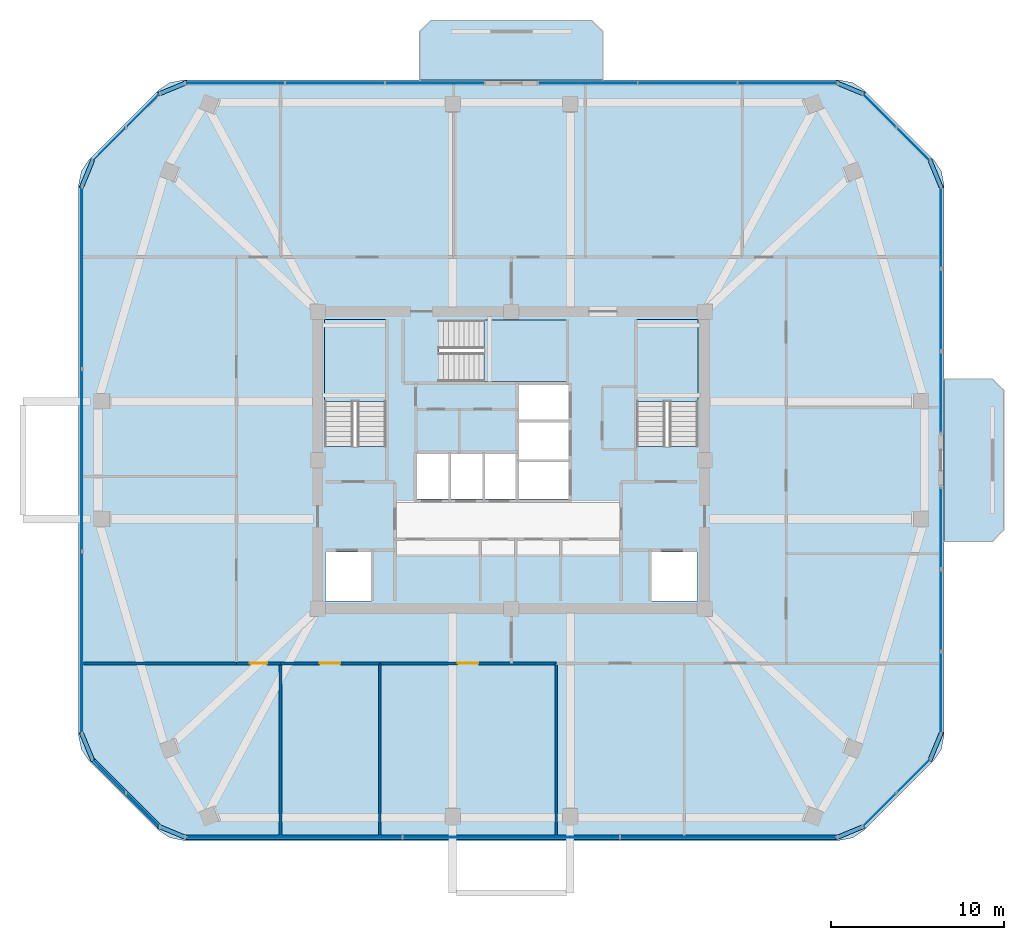
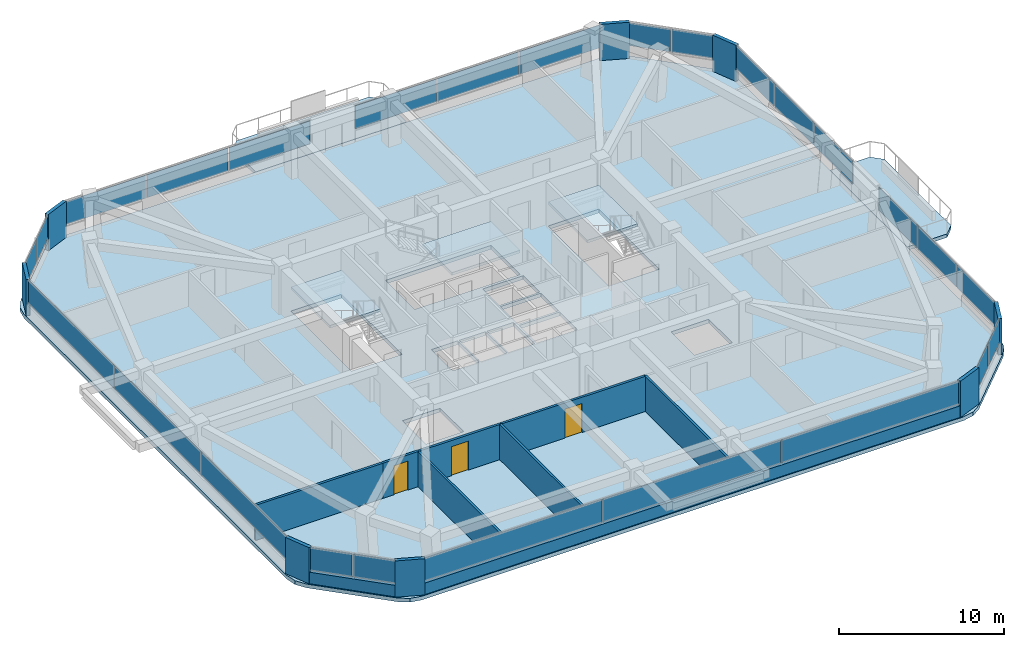
# One storey, part 8 of 13: 34 plates, 9 walls, 6 slabs, 3 doors, 3 openings, 13 elements without a shape of their own.
"""IFC4 building model written with IfcOpenShell, lengths in metres."""

from ifc_helpers import new_model, si_unit, derived_unit, direction, frame, frame_2d, origin, origin_2d, place, context, subcontext, project, spatial, polyline, rectangle, outline, extrude, material, layer, layer_set, type_object, element, fill, aggregate, save


model = new_model("IFC4")

# Units and contexts
model_context = context("Model", 3, precision=1e-05, world=origin(), true_north=direction((0.0, 1.0)))
body_context = subcontext(model_context, "Body", "Model", "MODEL_VIEW")
ifc_project = project(units=[si_unit("LENGTHUNIT", "METRE"), si_unit("AREAUNIT", "SQUARE_METRE"), si_unit("VOLUMEUNIT", "CUBIC_METRE"), si_unit("PLANEANGLEUNIT", "RADIAN"), si_unit("MASSUNIT", "GRAM", prefix="KILO"), derived_unit("THERMALTRANSMITTANCEUNIT", [(si_unit("POWERUNIT", "WATT"), 1), (si_unit("LENGTHUNIT", "METRE"), -2), (si_unit("THERMODYNAMICTEMPERATUREUNIT", "KELVIN"), -1)])], contexts=[model_context])

# Site, building, storey
site_placement = place(None, origin())
site = spatial("IfcSite", under=ifc_project, at=site_placement, CompositionType="ELEMENT")
building_placement = place(site_placement, origin())
building = spatial("IfcBuilding", under=site, at=building_placement, Name="Koralith Skygarden Medical Center", CompositionType="ELEMENT")
storey_placement = place(building_placement, frame((0.0, 0.0, 196.3798828125)))
storey = spatial("IfcBuildingStorey", under=building, at=storey_placement, Name="L50", CompositionType="ELEMENT", Elevation=196.3798828125)

# Curtain wall, plates
ifc_material_1 = material(Name="Clear Laminated Glass", Category="glass")
curtain_wall_type = type_object("IfcCurtainWallType", Name="CW-5 Zone 4 Flare Biophilic Curtain Wall", PredefinedType="NOTDEFINED", material=ifc_material_1)
curtain_wall_1_placement = place(storey_placement, origin())
curtain_wall_1 = element("IfcCurtainWall", 1, at=curtain_wall_1_placement, inside=storey, type_object=curtain_wall_type, Name="Curtain Wall CW-L50-S", PredefinedType="NOTDEFINED")
ifc_layer_1 = layer(ifc_material_1, 0.0380859375)
ifc_layer_set_1 = layer_set([ifc_layer_1], Name="Clear Laminated Glass")
plate_type_1 = type_object("IfcPlateType", Name="CW-5 Hurricane Laminated IGU Panel 38", PredefinedType="CURTAIN_PANEL", material=ifc_layer_set_1)
plate_1_placement = place(storey_placement, frame((24.419921875, 4.090087890625, 0.919921875), z_axis=(0.0, 0.0, 1.0), x_axis=(1.0, 0.0, 0.0)))
plate_1 = element("IfcPlate", 2, at=plate_1_placement, type_object=plate_type_1, Name="CW-L50-S Glazed Panel 1", PredefinedType="CURTAIN_PANEL", context=body_context, shape_type="SweptSolid", body=[
    extrude(rectangle(XDim=12.489990234375, YDim=0.0380859375, at=origin_2d()), origin(), (0.0, 0.0, 1.0), 1.699951171875),
])
plate_2_placement = place(storey_placement, frame((37.0, 4.090087890625, 0.919921875), z_axis=(0.0, 0.0, 1.0), x_axis=(1.0, 0.0, 0.0)))
plate_2 = element("IfcPlate", 3, at=plate_2_placement, type_object=plate_type_1, Name="CW-L50-S Glazed Panel 2", PredefinedType="CURTAIN_PANEL", context=body_context, shape_type="SweptSolid", body=[
    extrude(rectangle(XDim=12.489990234375, YDim=0.0380859375, at=origin_2d()), origin(), (0.0, 0.0, 1.0), 1.699951171875),
])
plate_3_placement = place(storey_placement, frame((49.580078125, 4.090087890625, 0.919921875), z_axis=(0.0, 0.0, 1.0), x_axis=(1.0, 0.0, 0.0)))
plate_3 = element("IfcPlate", 4, at=plate_3_placement, type_object=plate_type_1, Name="CW-L50-S Glazed Panel 3", PredefinedType="CURTAIN_PANEL", context=body_context, shape_type="SweptSolid", body=[
    extrude(rectangle(XDim=12.489990234375, YDim=0.0380859375, at=origin_2d()), origin(), (0.0, 0.0, 1.0), 1.699951171875),
])
aggregate(curtain_wall_1, [plate_1, plate_2, plate_3])

curtain_wall_2_placement = place(storey_placement, origin())
curtain_wall_2 = element("IfcCurtainWall", 5, at=curtain_wall_2_placement, inside=storey, type_object=curtain_wall_type, Name="Curtain Wall CW-L50-SE", PredefinedType="NOTDEFINED")
plate_4_placement = place(storey_placement, frame((58.302001953125, 5.672119140625, 0.919921875), z_axis=(0.0, 0.0, 1.0), x_axis=(0.707106781187, 0.707106781187, 0.0)))
plate_4 = element("IfcPlate", 6, at=plate_4_placement, type_object=plate_type_1, Name="CW-L50-SE Glazed Panel 1", PredefinedType="CURTAIN_PANEL", context=body_context, shape_type="SweptSolid", body=[
    extrude(rectangle(XDim=2.68408203125, YDim=0.0380859375, at=origin_2d()), origin(), (0.0, 0.0, 1.0), 1.699951171875),
])
plate_5_placement = place(storey_placement, frame((60.262939453125, 7.633056640625, 0.919921875), z_axis=(0.0, 0.0, 1.0), x_axis=(0.707106781187, 0.707106781187, 0.0)))
plate_5 = element("IfcPlate", 7, at=plate_5_placement, type_object=plate_type_1, Name="CW-L50-SE Glazed Panel 2", PredefinedType="CURTAIN_PANEL", context=body_context, shape_type="SweptSolid", body=[
    extrude(rectangle(XDim=2.68408203125, YDim=0.0380859375, at=origin_2d()), origin(), (0.0, 0.0, 1.0), 1.699951171875),
])
aggregate(curtain_wall_2, [plate_4, plate_5])

curtain_wall_3_placement = place(storey_placement, origin())
curtain_wall_3 = element("IfcCurtainWall", 8, at=curtain_wall_3_placement, inside=storey, type_object=curtain_wall_type, Name="Curtain Wall CW-L50-E-L", PredefinedType="NOTDEFINED")
plate_6_placement = place(storey_placement, frame((61.845947265625, 12.447021484375, 0.919921875), z_axis=(0.0, 0.0, 1.0), x_axis=(0.0, 1.0, 0.0)))
plate_6 = element("IfcPlate", 9, at=plate_6_placement, type_object=plate_type_1, Name="CW-L50-E-L Glazed Panel 1", PredefinedType="CURTAIN_PANEL", context=body_context, shape_type="SweptSolid", body=[
    extrude(rectangle(XDim=4.675048828125, YDim=0.0380859375, at=origin_2d()), origin(), (0.0, 0.0, 1.0), 1.699951171875),
])
plate_7_placement = place(storey_placement, frame((61.845947265625, 17.2119140625, 0.919921875), z_axis=(0.0, 0.0, 1.0), x_axis=(0.0, 1.0, 0.0)))
plate_7 = element("IfcPlate", 10, at=plate_7_placement, type_object=plate_type_1, Name="CW-L50-E-L Glazed Panel 2", PredefinedType="CURTAIN_PANEL", context=body_context, shape_type="SweptSolid", body=[
    extrude(rectangle(XDim=4.675048828125, YDim=0.0380859375, at=origin_2d()), origin(), (0.0, 0.0, 1.0), 1.699951171875),
])
plate_8_placement = place(storey_placement, frame((61.845947265625, 21.97705078125, 0.919921875), z_axis=(0.0, 0.0, 1.0), x_axis=(0.0, 1.0, 0.0)))
plate_8 = element("IfcPlate", 11, at=plate_8_placement, type_object=plate_type_1, Name="CW-L50-E-L Glazed Panel 3", PredefinedType="CURTAIN_PANEL", context=body_context, shape_type="SweptSolid", body=[
    extrude(rectangle(XDim=4.675048828125, YDim=0.0380859375, at=origin_2d()), origin(), (0.0, 0.0, 1.0), 1.699951171875),
])
aggregate(curtain_wall_3, [plate_6, plate_7, plate_8])

curtain_wall_4_placement = place(storey_placement, origin())
curtain_wall_4 = element("IfcCurtainWall", 12, at=curtain_wall_4_placement, inside=storey, type_object=curtain_wall_type, Name="Curtain Wall CW-L50-E-R", PredefinedType="NOTDEFINED")
plate_9_placement = place(storey_placement, frame((61.845947265625, 29.822998046875, 0.919921875), z_axis=(0.0, 0.0, 1.0), x_axis=(0.0, 1.0, 0.0)))
plate_9 = element("IfcPlate", 13, at=plate_9_placement, type_object=plate_type_1, Name="CW-L50-E-R Glazed Panel 1", PredefinedType="CURTAIN_PANEL", context=body_context, shape_type="SweptSolid", body=[
    extrude(rectangle(XDim=4.675048828125, YDim=0.0380859375, at=origin_2d()), origin(), (0.0, 0.0, 1.0), 1.699951171875),
])
plate_10_placement = place(storey_placement, frame((61.845947265625, 34.5869140625, 0.919921875), z_axis=(0.0, 0.0, 1.0), x_axis=(0.0, 1.0, 0.0)))
plate_10 = element("IfcPlate", 14, at=plate_10_placement, type_object=plate_type_1, Name="CW-L50-E-R Glazed Panel 2", PredefinedType="CURTAIN_PANEL", context=body_context, shape_type="SweptSolid", body=[
    extrude(rectangle(XDim=4.675048828125, YDim=0.0380859375, at=origin_2d()), origin(), (0.0, 0.0, 1.0), 1.699951171875),
])
plate_11_placement = place(storey_placement, frame((61.845947265625, 39.35205078125, 0.919921875), z_axis=(0.0, 0.0, 1.0), x_axis=(0.0, 1.0, 0.0)))
plate_11 = element("IfcPlate", 15, at=plate_11_placement, type_object=plate_type_1, Name="CW-L50-E-R Glazed Panel 3", PredefinedType="CURTAIN_PANEL", context=body_context, shape_type="SweptSolid", body=[
    extrude(rectangle(XDim=4.675048828125, YDim=0.0380859375, at=origin_2d()), origin(), (0.0, 0.0, 1.0), 1.699951171875),
])
aggregate(curtain_wall_4, [plate_9, plate_10, plate_11])

curtain_wall_5_placement = place(storey_placement, origin())
curtain_wall_5 = element("IfcCurtainWall", 16, at=curtain_wall_5_placement, inside=storey, type_object=curtain_wall_type, Name="Curtain Wall CW-L50-NE", PredefinedType="NOTDEFINED")
plate_12_placement = place(storey_placement, frame((60.262939453125, 44.1669921875, 0.919921875), z_axis=(0.0, 0.0, 1.0), x_axis=(-0.707106781187, 0.707106781187, 0.0)))
plate_12 = element("IfcPlate", 17, at=plate_12_placement, type_object=plate_type_1, Name="CW-L50-NE Glazed Panel 1", PredefinedType="CURTAIN_PANEL", context=body_context, shape_type="SweptSolid", body=[
    extrude(rectangle(XDim=2.68408203125, YDim=0.0380859375, at=origin_2d()), origin(), (0.0, 0.0, 1.0), 1.699951171875),
])
plate_13_placement = place(storey_placement, frame((58.302001953125, 46.1279296875, 0.919921875), z_axis=(0.0, 0.0, 1.0), x_axis=(-0.707106781187, 0.707106781187, 0.0)))
plate_13 = element("IfcPlate", 18, at=plate_13_placement, type_object=plate_type_1, Name="CW-L50-NE Glazed Panel 2", PredefinedType="CURTAIN_PANEL", context=body_context, shape_type="SweptSolid", body=[
    extrude(rectangle(XDim=2.68408203125, YDim=0.0380859375, at=origin_2d()), origin(), (0.0, 0.0, 1.0), 1.699951171875),
])
aggregate(curtain_wall_5, [plate_12, plate_13])

curtain_wall_6_placement = place(storey_placement, origin())
curtain_wall_6 = element("IfcCurtainWall", 19, at=curtain_wall_6_placement, inside=storey, type_object=curtain_wall_type, Name="Curtain Wall CW-L50-N-L", PredefinedType="NOTDEFINED")
plate_14_placement = place(storey_placement, frame((52.98193359375, 47.7099609375, 0.919921875), z_axis=(0.0, 0.0, 1.0), x_axis=(-1.0, 0.0, 0.0)))
plate_14 = element("IfcPlate", 20, at=plate_14_placement, type_object=plate_type_1, Name="CW-L50-N-L Glazed Panel 1", PredefinedType="CURTAIN_PANEL", context=body_context, shape_type="SweptSolid", body=[
    extrude(rectangle(XDim=5.68701171875, YDim=0.0380859375, at=origin_2d()), origin(), (0.0, 0.0, 1.0), 1.699951171875),
])
plate_15_placement = place(storey_placement, frame((47.205078125, 47.7099609375, 0.919921875), z_axis=(0.0, 0.0, 1.0), x_axis=(-1.0, 0.0, 0.0)))
plate_15 = element("IfcPlate", 21, at=plate_15_placement, type_object=plate_type_1, Name="CW-L50-N-L Glazed Panel 2", PredefinedType="CURTAIN_PANEL", context=body_context, shape_type="SweptSolid", body=[
    extrude(rectangle(XDim=5.68701171875, YDim=0.0380859375, at=origin_2d()), origin(), (0.0, 0.0, 1.0), 1.699951171875),
])
plate_16_placement = place(storey_placement, frame((41.427978515625, 47.7099609375, 0.919921875), z_axis=(0.0, 0.0, 1.0), x_axis=(-1.0, 0.0, 0.0)))
plate_16 = element("IfcPlate", 22, at=plate_16_placement, type_object=plate_type_1, Name="CW-L50-N-L Glazed Panel 3", PredefinedType="CURTAIN_PANEL", context=body_context, shape_type="SweptSolid", body=[
    extrude(rectangle(XDim=5.68701171875, YDim=0.0380859375, at=origin_2d()), origin(), (0.0, 0.0, 1.0), 1.699951171875),
])
aggregate(curtain_wall_6, [plate_14, plate_15, plate_16])

curtain_wall_7_placement = place(storey_placement, origin())
curtain_wall_7 = element("IfcCurtainWall", 23, at=curtain_wall_7_placement, inside=storey, type_object=curtain_wall_type, Name="Curtain Wall CW-L50-N-R", PredefinedType="NOTDEFINED")
plate_17_placement = place(storey_placement, frame((32.572021484375, 47.7099609375, 0.919921875), z_axis=(0.0, 0.0, 1.0), x_axis=(-1.0, 0.0, 0.0)))
plate_17 = element("IfcPlate", 24, at=plate_17_placement, type_object=plate_type_1, Name="CW-L50-N-R Glazed Panel 1", PredefinedType="CURTAIN_PANEL", context=body_context, shape_type="SweptSolid", body=[
    extrude(rectangle(XDim=5.68701171875, YDim=0.0380859375, at=origin_2d()), origin(), (0.0, 0.0, 1.0), 1.699951171875),
])
plate_18_placement = place(storey_placement, frame((26.794921875, 47.7099609375, 0.919921875), z_axis=(0.0, 0.0, 1.0), x_axis=(-1.0, 0.0, 0.0)))
plate_18 = element("IfcPlate", 25, at=plate_18_placement, type_object=plate_type_1, Name="CW-L50-N-R Glazed Panel 2", PredefinedType="CURTAIN_PANEL", context=body_context, shape_type="SweptSolid", body=[
    extrude(rectangle(XDim=5.68701171875, YDim=0.0380859375, at=origin_2d()), origin(), (0.0, 0.0, 1.0), 1.699951171875),
])
plate_19_placement = place(storey_placement, frame((21.01806640625, 47.7099609375, 0.919921875), z_axis=(0.0, 0.0, 1.0), x_axis=(-1.0, 0.0, 0.0)))
plate_19 = element("IfcPlate", 26, at=plate_19_placement, type_object=plate_type_1, Name="CW-L50-N-R Glazed Panel 3", PredefinedType="CURTAIN_PANEL", context=body_context, shape_type="SweptSolid", body=[
    extrude(rectangle(XDim=5.68701171875, YDim=0.0380859375, at=origin_2d()), origin(), (0.0, 0.0, 1.0), 1.699951171875),
])
aggregate(curtain_wall_7, [plate_17, plate_18, plate_19])

curtain_wall_8_placement = place(storey_placement, origin())
curtain_wall_8 = element("IfcCurtainWall", 27, at=curtain_wall_8_placement, inside=storey, type_object=curtain_wall_type, Name="Curtain Wall CW-L50-NW", PredefinedType="NOTDEFINED")
plate_20_placement = place(storey_placement, frame((15.697998046875, 46.1279296875, 0.919921875), z_axis=(0.0, 0.0, 1.0), x_axis=(-0.707106781187, -0.707106781187, 0.0)))
plate_20 = element("IfcPlate", 28, at=plate_20_placement, type_object=plate_type_1, Name="CW-L50-NW Glazed Panel 1", PredefinedType="CURTAIN_PANEL", context=body_context, shape_type="SweptSolid", body=[
    extrude(rectangle(XDim=2.68408203125, YDim=0.0380859375, at=origin_2d()), origin(), (0.0, 0.0, 1.0), 1.699951171875),
])
plate_21_placement = place(storey_placement, frame((13.737060546875, 44.1669921875, 0.919921875), z_axis=(0.0, 0.0, 1.0), x_axis=(-0.707106781187, -0.707106781187, 0.0)))
plate_21 = element("IfcPlate", 29, at=plate_21_placement, type_object=plate_type_1, Name="CW-L50-NW Glazed Panel 2", PredefinedType="CURTAIN_PANEL", context=body_context, shape_type="SweptSolid", body=[
    extrude(rectangle(XDim=2.68408203125, YDim=0.0380859375, at=origin_2d()), origin(), (0.0, 0.0, 1.0), 1.699951171875),
])
aggregate(curtain_wall_8, [plate_20, plate_21])

curtain_wall_9_placement = place(storey_placement, origin())
curtain_wall_9 = element("IfcCurtainWall", 30, at=curtain_wall_9_placement, inside=storey, type_object=curtain_wall_type, Name="Curtain Wall CW-L50-W", PredefinedType="NOTDEFINED")
plate_22_placement = place(storey_placement, frame((12.154052734375, 36.45703125, 0.919921875), z_axis=(0.0, 0.0, 1.0), x_axis=(0.0, -1.0, 0.0)))
plate_22 = element("IfcPlate", 31, at=plate_22_placement, type_object=plate_type_1, Name="CW-L50-W Glazed Panel 1", PredefinedType="CURTAIN_PANEL", context=body_context, shape_type="SweptSolid", body=[
    extrude(rectangle(XDim=10.467041015625, YDim=0.0380859375, at=origin_2d()), origin(), (0.0, 0.0, 1.0), 1.699951171875),
])
plate_23_placement = place(storey_placement, frame((12.154052734375, 25.89990234375, 0.919921875), z_axis=(0.0, 0.0, 1.0), x_axis=(0.0, -1.0, 0.0)))
plate_23 = element("IfcPlate", 32, at=plate_23_placement, type_object=plate_type_1, Name="CW-L50-W Glazed Panel 2", PredefinedType="CURTAIN_PANEL", context=body_context, shape_type="SweptSolid", body=[
    extrude(rectangle(XDim=10.467041015625, YDim=0.0380859375, at=origin_2d()), origin(), (0.0, 0.0, 1.0), 1.699951171875),
])
plate_24_placement = place(storey_placement, frame((12.154052734375, 15.343017578125, 0.919921875), z_axis=(0.0, 0.0, 1.0), x_axis=(0.0, -1.0, 0.0)))
plate_24 = element("IfcPlate", 33, at=plate_24_placement, type_object=plate_type_1, Name="CW-L50-W Glazed Panel 3", PredefinedType="CURTAIN_PANEL", context=body_context, shape_type="SweptSolid", body=[
    extrude(rectangle(XDim=10.467041015625, YDim=0.0380859375, at=origin_2d()), origin(), (0.0, 0.0, 1.0), 1.699951171875),
])
aggregate(curtain_wall_9, [plate_22, plate_23, plate_24])

curtain_wall_10_placement = place(storey_placement, origin())
curtain_wall_10 = element("IfcCurtainWall", 34, at=curtain_wall_10_placement, inside=storey, type_object=curtain_wall_type, Name="Curtain Wall CW-L50-SW", PredefinedType="NOTDEFINED")
plate_25_placement = place(storey_placement, frame((13.737060546875, 7.633056640625, 0.919921875), z_axis=(0.0, 0.0, 1.0), x_axis=(0.707106781187, -0.707106781187, 0.0)))
plate_25 = element("IfcPlate", 35, at=plate_25_placement, type_object=plate_type_1, Name="CW-L50-SW Glazed Panel 1", PredefinedType="CURTAIN_PANEL", context=body_context, shape_type="SweptSolid", body=[
    extrude(rectangle(XDim=2.68408203125, YDim=0.0380859375, at=origin_2d()), origin(), (0.0, 0.0, 1.0), 1.699951171875),
])
plate_26_placement = place(storey_placement, frame((15.697998046875, 5.672119140625, 0.919921875), z_axis=(0.0, 0.0, 1.0), x_axis=(0.707106781187, -0.707106781187, 0.0)))
plate_26 = element("IfcPlate", 36, at=plate_26_placement, type_object=plate_type_1, Name="CW-L50-SW Glazed Panel 2", PredefinedType="CURTAIN_PANEL", context=body_context, shape_type="SweptSolid", body=[
    extrude(rectangle(XDim=2.68408203125, YDim=0.0380859375, at=origin_2d()), origin(), (0.0, 0.0, 1.0), 1.699951171875),
])
aggregate(curtain_wall_10, [plate_25, plate_26])

# Slabs
ifc_material_2 = material(Name="Concrete C45/55", Category="concrete")
ifc_layer_2 = layer(ifc_material_2, 0.260009765625)
ifc_layer_set_2 = layer_set([ifc_layer_2], Name="Concrete C45/55")
slab_type_1 = type_object("IfcSlabType", Name="Cantilevered Planted Balcony Slab 260", PredefinedType="FLOOR", material=ifc_layer_set_2)
slab_1_placement = place(storey_placement, frame((0.0, 0.0, -0.259765625)))
element("IfcSlab", 37, at=slab_1_placement, inside=storey, type_object=slab_type_1, Name="L50 N Planted Sky-Garden Balcony Slab", PredefinedType="FLOOR", context=body_context, shape_type="SweptSolid", body=[
    extrude(outline(polyline([(31.699951171875, 47.889892578125), (42.300048828125, 47.889892578125), (42.300048828125, 50.68994140625), (41.64990234375, 51.340087890625), (32.35009765625, 51.340087890625), (31.699951171875, 50.68994140625), (31.699951171875, 47.889892578125)])), origin(), (0.0, 0.0, 1.0), 0.259765625),
])
slab_2_placement = place(storey_placement, frame((0.0, 0.0, -0.259765625)))
element("IfcSlab", 38, at=slab_2_placement, inside=storey, type_object=slab_type_1, Name="L50 E Planted Sky-Garden Balcony Slab", PredefinedType="FLOOR", context=body_context, shape_type="SweptSolid", body=[
    extrude(outline(polyline([(62.02587890625, 21.199951171875), (64.824951171875, 21.199951171875), (65.47509765625, 21.85009765625), (65.47509765625, 29.949951171875), (64.824951171875, 30.60009765625), (62.02587890625, 30.60009765625), (62.02587890625, 21.199951171875)])), origin(), (0.0, 0.0, 1.0), 0.259765625),
])

# Stair, slab
stair_type = type_object("IfcStairType", Name="Core Exit Dogleg Concrete Stair", PredefinedType="HALF_TURN_STAIR", material=ifc_material_2)
stair_1_placement = place(storey_placement, origin())
stair_1 = element("IfcStair", 39, at=stair_1_placement, inside=storey, type_object=stair_type, Name="L50 Smokeproof Exit Stair ST1", PredefinedType="HALF_TURN_STAIR")
ifc_layer_3 = layer(ifc_material_2, 0.199951171875)
ifc_layer_set_3 = layer_set([ifc_layer_3], Name="Concrete C45/55")
slab_type_2 = type_object("IfcSlabType", Name="Core Exit Concrete Stair Landing 200", PredefinedType="LANDING", material=ifc_layer_set_3)
slab_3_placement = place(storey_placement, frame((0.0, 0.0, 1.60009765625)))
slab_3 = element("IfcSlab", 40, at=slab_3_placement, type_object=slab_type_2, Name="ST1 landing 1", PredefinedType="LANDING", context=body_context, shape_type="SweptSolid", body=[
    extrude(outline(polyline([(29.75, 29.31005859375), (29.75, 34.050048828125), (26.199951171875, 34.050048828125), (26.199951171875, 29.31005859375), (29.75, 29.31005859375)])), origin(), (0.0, 0.0, 1.0), 0.199951171875),
])
aggregate(stair_1, [slab_3])

stair_2_placement = place(storey_placement, origin())
stair_2 = element("IfcStair", 41, at=stair_2_placement, inside=storey, type_object=stair_type, Name="L50 Smokeproof Exit Stair ST2", PredefinedType="HALF_TURN_STAIR")
slab_4_placement = place(storey_placement, frame((0.0, 0.0, 1.60009765625)))
slab_4 = element("IfcSlab", 42, at=slab_4_placement, type_object=slab_type_2, Name="ST2 landing 1", PredefinedType="LANDING", context=body_context, shape_type="SweptSolid", body=[
    extrude(outline(polyline([(47.800048828125, 29.31005859375), (47.800048828125, 34.050048828125), (44.25, 34.050048828125), (44.25, 29.31005859375), (47.800048828125, 29.31005859375)])), origin(), (0.0, 0.0, 1.0), 0.199951171875),
])
aggregate(stair_2, [slab_4])

stair_3_placement = place(storey_placement, origin())
stair_3 = element("IfcStair", 43, at=stair_3_placement, inside=storey, type_object=stair_type, Name="L50 Smokeproof Exit Stair ST3", PredefinedType="HALF_TURN_STAIR")
slab_5_placement = place(storey_placement, frame((0.0, 0.0, 1.60009765625)))
slab_5 = element("IfcSlab", 44, at=slab_5_placement, type_object=slab_type_2, Name="ST3 landing 1", PredefinedType="LANDING", context=body_context, shape_type="SweptSolid", body=[
    extrude(outline(polyline([(35.409912109375, 30.449951171875), (40.199951171875, 30.449951171875), (40.199951171875, 34.0), (35.409912109375, 34.0), (35.409912109375, 30.449951171875)])), origin(), (0.0, 0.0, 1.0), 0.199951171875),
])
aggregate(stair_3, [slab_5])

# Slab
ifc_layer_4 = layer(ifc_material_2, 0.280029296875)
ifc_layer_set_4 = layer_set([ifc_layer_4], Name="Concrete C45/55")
slab_type_3 = type_object("IfcSlabType", Name="Post-Tensioned Ward Floor Plate 280", PredefinedType="FLOOR", material=ifc_layer_set_4)
slab_6_placement = place(storey_placement, frame((0.0, 0.0, -0.27978515625)))
element("IfcSlab", 45, at=slab_6_placement, inside=storey, type_object=slab_type_3, Name="Level L50 Structural Floor Slab", PredefinedType="FLOOR", context=body_context, shape_type="SweptSolid", body=[
    extrude(outline(polyline([(16.589111328125, 4.49609375), (17.238037109375, 4.06201171875), (18.0029296875, 3.909912109375), (55.9970703125, 3.909912109375), (56.761962890625, 4.06201171875), (57.410888671875, 4.49609375), (61.43994140625, 8.52392578125), (61.873046875, 9.173095703125), (62.02587890625, 9.93798828125), (62.02587890625, 41.862060546875), (61.873046875, 42.626953125), (61.43994140625, 43.27587890625), (57.410888671875, 47.303955078125), (56.761962890625, 47.738037109375), (55.9970703125, 47.889892578125), (18.0029296875, 47.889892578125), (17.238037109375, 47.738037109375), (16.589111328125, 47.303955078125), (12.56005859375, 43.27587890625), (12.126953125, 42.626953125), (11.97412109375, 41.862060546875), (11.97412109375, 9.93798828125), (12.126953125, 9.173095703125), (12.56005859375, 8.52392578125), (16.589111328125, 4.49609375)]), holes=[polyline([(26.199951171875, 26.705078125), (29.75, 26.705078125), (29.75, 34.050048828125), (26.199951171875, 34.050048828125), (26.199951171875, 26.705078125)]), polyline([(44.25, 26.705078125), (47.800048828125, 26.705078125), (47.800048828125, 34.050048828125), (44.25, 34.050048828125), (44.25, 26.705078125)]), polyline([(32.804931640625, 30.449951171875), (40.199951171875, 30.449951171875), (40.199951171875, 34.0), (32.804931640625, 34.0), (32.804931640625, 30.449951171875)]), polyline([(26.25, 17.75), (28.89990234375, 17.75), (28.89990234375, 20.60009765625), (26.25, 20.60009765625), (26.25, 17.75)]), polyline([(45.10009765625, 17.75), (47.75, 17.75), (47.75, 20.60009765625), (45.10009765625, 20.60009765625), (45.10009765625, 17.75)]), polyline([(31.550048828125, 23.64990234375), (33.39990234375, 23.64990234375), (33.39990234375, 26.25), (31.550048828125, 26.25), (31.550048828125, 23.64990234375)]), polyline([(33.5, 23.64990234375), (35.35009765625, 23.64990234375), (35.35009765625, 26.25), (33.5, 26.25), (33.5, 23.64990234375)]), polyline([(35.449951171875, 23.64990234375), (37.300048828125, 23.64990234375), (37.300048828125, 26.25), (35.449951171875, 26.25), (35.449951171875, 23.64990234375)]), polyline([(37.449951171875, 23.64990234375), (40.300048828125, 23.64990234375), (40.300048828125, 25.800048828125), (37.449951171875, 25.800048828125), (37.449951171875, 23.64990234375)]), polyline([(37.449951171875, 25.949951171875), (40.300048828125, 25.949951171875), (40.300048828125, 28.10009765625), (37.449951171875, 28.10009765625), (37.449951171875, 25.949951171875)]), polyline([(37.449951171875, 28.25), (40.300048828125, 28.25), (40.300048828125, 30.25), (37.449951171875, 30.25), (37.449951171875, 28.25)])]), origin(), (0.0, 0.0, 1.0), 0.27978515625),
])

# Plates
ifc_material_3 = material(Name="Warm Oolitic Limestone Cladding", Category="masonry")
ifc_layer_5 = layer(ifc_material_3, 0.239990234375)
ifc_layer_set_5 = layer_set([ifc_layer_5], Name="Warm Oolitic Limestone Cladding")
plate_type_2 = type_object("IfcPlateType", Name="Rounded-Corner Oolitic Limestone Cladding Panel 240", PredefinedType="USERDEFINED", material=ifc_layer_set_5)
for number, where, z_axis, x_axis, name in (
    (46, (56.595947265625, 4.389892578125, 0.000244140625), (0.0, 0.0, 1.0), (0.92388487569, 0.382670532536, 0.0), "L50 Rounded-Corner Limestone Pier 1"),
    (47, (61.544921875, 9.340087890625, 0.000244140625), (0.0, 0.0, 1.0), (0.383213873184, 0.923659638286, 0.0), "L50 Rounded-Corner Limestone Pier 2"),
    (48, (61.544921875, 42.4599609375, 0.000244140625), (0.0, 0.0, 1.0), (-0.383213873184, 0.923659638286, 0.0), "L50 Rounded-Corner Limestone Pier 3"),
    (49, (56.595947265625, 47.409912109375, 0.000244140625), (0.0, 0.0, 1.0), (-0.92388487569, 0.382670532536, 0.0), "L50 Rounded-Corner Limestone Pier 4"),
    (50, (17.404052734375, 47.409912109375, 0.000244140625), (0.0, 0.0, 1.0), (-0.92388487569, -0.382670532536, 0.0), "L50 Rounded-Corner Limestone Pier 5"),
    (51, (12.455078125, 42.4599609375, 0.000244140625), (0.0, 0.0, 1.0), (-0.383213873184, -0.923659638286, 0.0), "L50 Rounded-Corner Limestone Pier 6"),
    (52, (12.455078125, 9.340087890625, 0.000244140625), (0.0, 0.0, 1.0), (0.383213873184, -0.923659638286, 0.0), "L50 Rounded-Corner Limestone Pier 7"),
    (53, (17.404052734375, 4.389892578125, 0.000244140625), (0.0, 0.0, 1.0), (0.92388487569, -0.382670532536, 0.0), "L50 Rounded-Corner Limestone Pier 8"),
):
    element("IfcPlate", number, at=place(storey_placement, frame(where, z_axis=z_axis, x_axis=x_axis)), inside=storey, type_object=plate_type_2, Name=name, ObjectType="LIMESTONE CLADDING", PredefinedType="USERDEFINED", context=body_context, shape_type="SweptSolid", body=[
        extrude(rectangle(XDim=1.81103515625, YDim=0.239990234375, at=origin_2d()), origin(), (0.0, 0.0, 1.0), 2.68994140625),
    ])

# Walls
ifc_material_4 = material(Name="Gypsum Board Partition")
ifc_layer_6 = layer(ifc_material_4, 0.14990234375)
ifc_layer_set_6 = layer_set([ifc_layer_6], Name="Gypsum Board Partition")
wall_type_1 = type_object("IfcWallType", Name="Clinical Acoustic Partition 150", PredefinedType="PARTITIONING", material=ifc_layer_set_6)
for number, where, z_axis, x_axis, name in (
    (54, (23.64990234375, 14.14990234375, 0.0), (0.0, 0.0, 1.0), (0.0, -1.0, 0.0), "L50 Clinical Acoustic Partition 150 W-PART-L50-S-01"),
    (55, (29.382080078125, 14.14990234375, 0.0), (0.0, 0.0, 1.0), (0.0, -1.0, 0.0), "L50 Clinical Acoustic Partition 150 W-PART-L50-S-02"),
    (56, (39.60009765625, 14.14990234375, 0.0), (0.0, 0.0, 1.0), (0.0, -1.0, 0.0), "L50 Clinical Acoustic Partition 150 W-PART-L50-S-03"),
):
    element("IfcWall", number, at=place(storey_placement, frame(where, z_axis=z_axis, x_axis=x_axis)), inside=storey, type_object=wall_type_1, Name=name, PredefinedType="PARTITIONING", context=body_context, shape_type="SweptSolid", body=[
        extrude(rectangle(XDim=10.039794921875, YDim=0.14990234375, at=frame_2d((5.02001953125, 0.0))), origin(), (0.0, 0.0, 1.0), 2.610107421875),
    ])
ifc_layer_7 = layer(ifc_material_4, 0.1650390625)
ifc_layer_set_7 = layer_set([ifc_layer_7], Name="Gypsum Board Partition")
wall_type_2 = type_object("IfcWallType", Name="Clinical Corridor Partition 165", PredefinedType="PARTITIONING", material=ifc_layer_set_7)
wall_1_placement = place(storey_placement, frame((12.174072265625, 14.14990234375, 0.0), z_axis=(0.0, 0.0, 1.0), x_axis=(1.0, 0.0, 0.0)))
element("IfcWall", 57, at=wall_1_placement, inside=storey, type_object=wall_type_2, Name="L50 Clinical Corridor Partition 165 W-WB-L50-SW", PredefinedType="PARTITIONING", context=body_context, shape_type="SweptSolid", body=[
    extrude(rectangle(XDim=8.926025390625, YDim=0.1650390625, at=frame_2d((4.462890625, 0.0))), origin(), (0.0, 0.0, 1.0), 2.610107421875),
])

# Wall, opening, door
wall_2_placement = place(storey_placement, frame((21.10009765625, 14.14990234375, 0.0), z_axis=(0.0, 0.0, 1.0), x_axis=(1.0, 0.0, 0.0)))
wall_2 = element("IfcWall", 58, at=wall_2_placement, inside=storey, type_object=wall_type_2, Name="L50 Clinical Corridor Partition 165 W-CORR-L50-S-01", PredefinedType="PARTITIONING", context=body_context, shape_type="SweptSolid", body=[
    extrude(rectangle(XDim=2.5498046875, YDim=0.1650390625, at=frame_2d((1.27490234375, 0.0))), origin(), (0.0, 0.0, 1.0), 2.610107421875),
])
opening_1_placement = place(wall_2_placement, frame((0.77490234375, 0.0, 0.0)))
opening_1 = element("IfcOpeningElement", 59, at=opening_1_placement, cuts=wall_2, Name="Opening D-SUP", PredefinedType="OPENING", context=body_context, shape_type="SweptSolid", body=[
    extrude(rectangle(XDim=1.0, YDim=2.14990234375, at=frame_2d((0.5, 1.074951171875))), frame((0.0, 0.092529296875, 0.0), z_axis=(0.0, -1.0, 0.0), x_axis=(1.0, 0.0, 0.0)), (0.0, 0.0, 1.0), 0.18505859375),
])
ifc_material_5 = material(Name="Aluminium 6063-T6", Category="aluminium")
door_type_1 = type_object("IfcDoorType", Name="Clinical Support Door D-SUP 1000", OperationType="NOTDEFINED", PredefinedType="DOOR", material=ifc_material_5)
door_1_placement = place(opening_1_placement, frame((1.0, 0.0, 0.0), z_axis=(0.0, 0.0, 1.0), x_axis=(-1.0, 0.0, 0.0)))
door_1 = element("IfcDoor", 60, at=door_1_placement, inside=storey, type_object=door_type_1, Name="L50 Bariatric Nutrition Teaching Pantry 06 Door", OperationType="SINGLE_SWING_LEFT", OverallHeight=2.14990234375, OverallWidth=1.0, PredefinedType="DOOR", context=body_context, shape_type="SweptSolid", body=[
    extrude(rectangle(XDim=1.0, YDim=2.14990234375, at=frame_2d((0.5, 1.074951171875))), frame((0.0, 0.02490234375, 0.0), z_axis=(0.0, -1.0, 0.0), x_axis=(1.0, 0.0, 0.0)), (0.0, 0.0, 1.0), 0.050048828125),
])
fill(opening_1, door_1)

wall_3_placement = place(storey_placement, frame((23.64990234375, 14.14990234375, 0.0), z_axis=(0.0, 0.0, 1.0), x_axis=(1.0, 0.0, 0.0)))
wall_3 = element("IfcWall", 61, at=wall_3_placement, inside=storey, type_object=wall_type_2, Name="L50 Clinical Corridor Partition 165 W-CORR-L50-S-02", PredefinedType="PARTITIONING", context=body_context, shape_type="SweptSolid", body=[
    extrude(rectangle(XDim=5.732177734375, YDim=0.1650390625, at=frame_2d((2.8662109375, 0.0))), origin(), (0.0, 0.0, 1.0), 2.610107421875),
])
opening_2_placement = place(wall_3_placement, frame((2.26611328125, 0.0, 0.0)))
opening_2 = element("IfcOpeningElement", 62, at=opening_2_placement, cuts=wall_3, Name="Opening D-CLN", PredefinedType="OPENING", context=body_context, shape_type="SweptSolid", body=[
    extrude(rectangle(XDim=1.199951171875, YDim=2.14990234375, at=frame_2d((0.60009765625, 1.074951171875))), frame((0.0, 0.092529296875, 0.0), z_axis=(0.0, -1.0, 0.0), x_axis=(1.0, 0.0, 0.0)), (0.0, 0.0, 1.0), 0.18505859375),
])
door_type_2 = type_object("IfcDoorType", Name="Clinical Corridor Door D-CLN 1200", OperationType="NOTDEFINED", PredefinedType="DOOR", material=ifc_material_5)
door_2_placement = place(opening_2_placement, frame((1.199951171875, 0.0, 0.0), z_axis=(0.0, 0.0, 1.0), x_axis=(-1.0, 0.0, 0.0)))
door_2 = element("IfcDoor", 63, at=door_2_placement, inside=storey, type_object=door_type_2, Name="L50 Clinical Dietetics Pantry 07 Door", OperationType="SINGLE_SWING_RIGHT", OverallHeight=2.14990234375, OverallWidth=1.199951171875, PredefinedType="DOOR", context=body_context, shape_type="SweptSolid", body=[
    extrude(rectangle(XDim=1.199951171875, YDim=2.14990234375, at=frame_2d((0.60009765625, 1.074951171875))), frame((0.0, 0.02490234375, 0.0), z_axis=(0.0, -1.0, 0.0), x_axis=(1.0, 0.0, 0.0)), (0.0, 0.0, 1.0), 0.050048828125),
])
fill(opening_2, door_2)

wall_4_placement = place(storey_placement, frame((29.382080078125, 14.14990234375, 0.0), z_axis=(0.0, 0.0, 1.0), x_axis=(1.0, 0.0, 0.0)))
wall_4 = element("IfcWall", 64, at=wall_4_placement, inside=storey, type_object=wall_type_2, Name="L50 Clinical Corridor Partition 165 W-CORR-L50-S-03", PredefinedType="PARTITIONING", context=body_context, shape_type="SweptSolid", body=[
    extrude(rectangle(XDim=10.218017578125, YDim=0.1650390625, at=frame_2d((5.10888671875, 0.0))), origin(), (0.0, 0.0, 1.0), 2.610107421875),
])
opening_3_placement = place(wall_4_placement, frame((4.509033203125, 0.0, 0.0)))
opening_3 = element("IfcOpeningElement", 65, at=opening_3_placement, cuts=wall_4, Name="Opening D-CLN", PredefinedType="OPENING", context=body_context, shape_type="SweptSolid", body=[
    extrude(rectangle(XDim=1.199951171875, YDim=2.14990234375, at=frame_2d((0.60009765625, 1.074951171875))), frame((0.0, 0.092529296875, 0.0), z_axis=(0.0, -1.0, 0.0), x_axis=(1.0, 0.0, 0.0)), (0.0, 0.0, 1.0), 0.18505859375),
])
door_3_placement = place(opening_3_placement, frame((1.199951171875, 0.0, 0.0), z_axis=(0.0, 0.0, 1.0), x_axis=(-1.0, 0.0, 0.0)))
door_3 = element("IfcDoor", 66, at=door_3_placement, inside=storey, type_object=door_type_2, Name="L50 Metabolic Health Classroom 08 Door", OperationType="SINGLE_SWING_LEFT", OverallHeight=2.14990234375, OverallWidth=1.199951171875, PredefinedType="DOOR", context=body_context, shape_type="SweptSolid", body=[
    extrude(rectangle(XDim=1.199951171875, YDim=2.14990234375, at=frame_2d((0.60009765625, 1.074951171875))), frame((0.0, 0.02490234375, 0.0), z_axis=(0.0, -1.0, 0.0), x_axis=(1.0, 0.0, 0.0)), (0.0, 0.0, 1.0), 0.050048828125),
])
fill(opening_3, door_3)

# Walls
ifc_layer_8 = layer(ifc_material_3, 0.239990234375)
ifc_layer_set_8 = layer_set([ifc_layer_8], Name="Warm Oolitic Limestone Cladding")
wall_type_3 = type_object("IfcWallType", Name="Limestone Spandrel Sill Backup Wall 240", PredefinedType="SOLIDWALL", material=ifc_layer_set_8)
wall_5_placement = place(storey_placement, frame((18.1298828125, 4.090087890625, 0.0), z_axis=(0.0, 0.0, 1.0), x_axis=(1.0, 0.0, 0.0)))
element("IfcWall", 67, at=wall_5_placement, inside=storey, type_object=wall_type_3, Name="L50 Sill Spandrel S", PredefinedType="SOLIDWALL", context=body_context, shape_type="SweptSolid", body=[
    extrude(rectangle(XDim=37.740234375, YDim=0.239990234375, at=frame_2d((18.8701171875, 0.0))), origin(), (0.0, 0.0, 1.0), 0.85009765625),
])
wall_6_placement = place(storey_placement, frame((12.756103515625, 8.614013671875, 0.0), z_axis=(0.0, 0.0, 1.0), x_axis=(0.707084777957, -0.707128783731, 0.0)))
element("IfcWall", 68, at=wall_6_placement, inside=storey, type_object=wall_type_3, Name="L50 Sill Spandrel SW", PredefinedType="SOLIDWALL", context=body_context, shape_type="SweptSolid", body=[
    extrude(rectangle(XDim=5.5478515625, YDim=0.239990234375, at=frame_2d((2.77392578125, 0.0))), origin(), (0.0, 0.0, 1.0), 0.85009765625),
])

save(model, "model.ifc")
